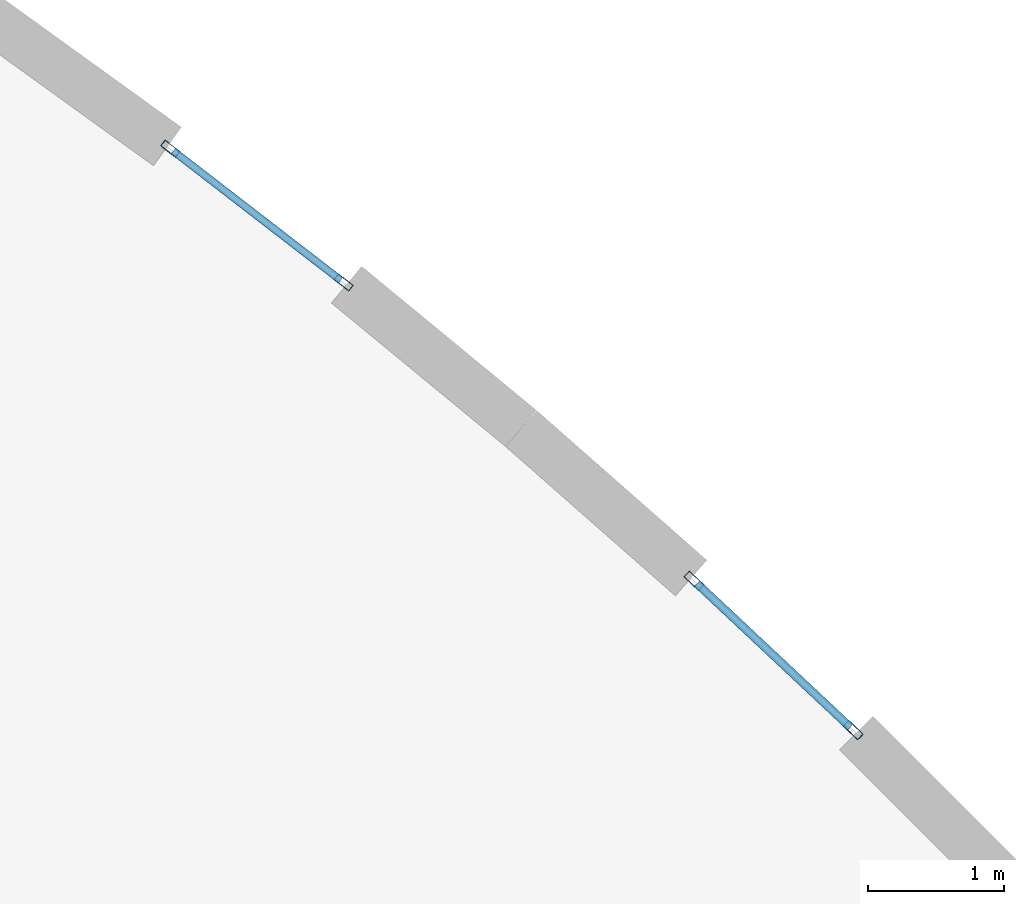
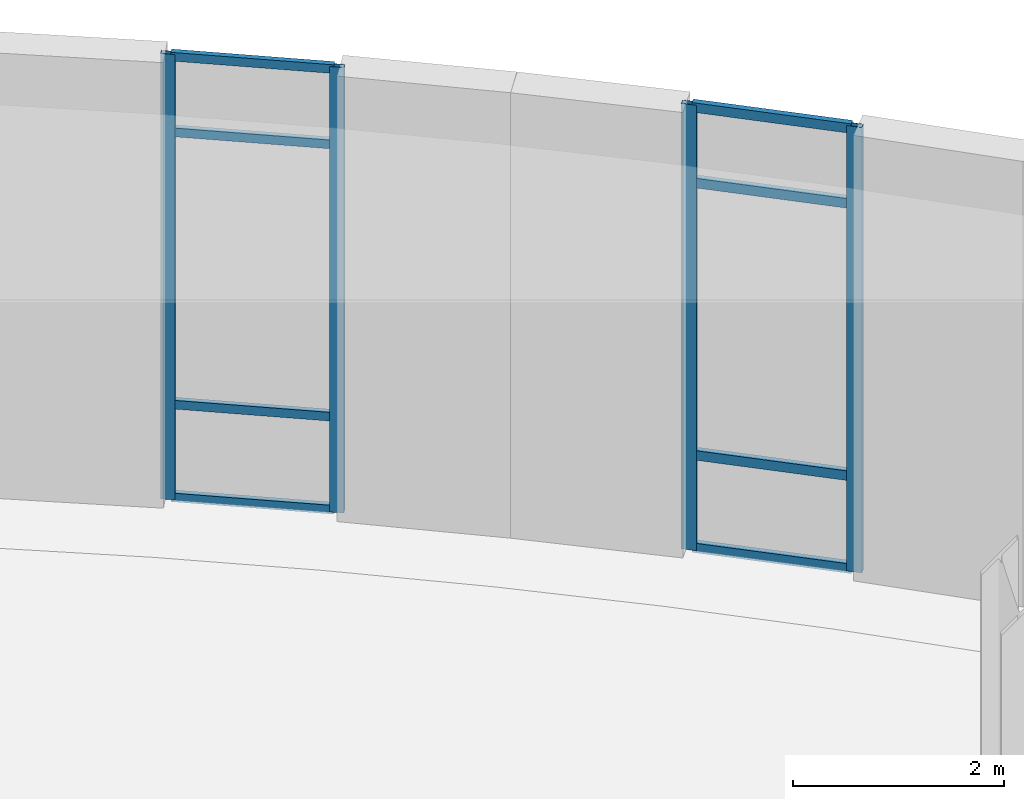
# One storey, part 55 of 110: 12 members, 2 elements without a shape of their own.
"""IFC4 building model written with IfcOpenShell, lengths in metres."""

import ifcopenshell
import ifcopenshell.guid

model = None  # the IFC model being written
_history = None  # IfcOwnerHistory: only IFC2X3 demands one
_inside = {}  # id of a spatial element -> (the spatial element, [elements in it])
_under = {}  # id of a project, library or spatial element -> (it, [spatial elements below it])
_declared = {}  # id of a project -> (the project, [libraries it declares])
_typed = {}  # id of a type object -> (the type object, [elements of that type])
_made_of = {}  # id of a material, layer set ... -> (it, [elements and type objects made of it])


def new_model(schema):
    """Start an empty IFC model of exactly this schema.

    Asked for "IFC4X3", IfcOpenShell would pick the latest addendum, in which some entities
    have other attributes; the version numbers below select the first issue.
    IFC2X3 requires an IfcOwnerHistory on every rooted entity: one is made here for all.
    """
    global model, _history
    if schema == "IFC4X3":
        model = ifcopenshell.file(schema_version=(4, 3, 0, 0))
    else:
        model = ifcopenshell.file(schema=schema)
    _inside.clear()
    _under.clear()
    _declared.clear()
    _typed.clear()
    _made_of.clear()
    _history = None
    if model.schema == "IFC2X3":
        org = make("IfcOrganization", Name="unknown")
        user = make(
            "IfcPersonAndOrganization",
            ThePerson=make("IfcPerson", FamilyName="unknown"),
            TheOrganization=org,
        )
        app = make(
            "IfcApplication",
            ApplicationDeveloper=org,
            Version="unknown",
            ApplicationFullName="unknown",
            ApplicationIdentifier="unknown",
        )
        _history = make(
            "IfcOwnerHistory",
            OwningUser=user,
            OwningApplication=app,
            ChangeAction="ADDED",
            CreationDate=0,
        )
    return model


def make(cls, **values):
    """One entity of the class cls with the attributes given. An attribute that is None is left unset."""
    return model.create_entity(
        cls, **{name: value for name, value in values.items() if value is not None}
    )


def rooted(cls, **values):
    """An entity with a GlobalId (a new one), such as an element, a storey or a relation."""
    return make(cls, GlobalId=ifcopenshell.guid.new(), OwnerHistory=_history, **values)


def si_unit(unit_type, name, prefix=None):
    """IfcSIUnit, for example si_unit("LENGTHUNIT", "METRE", prefix="MILLI")."""
    return make("IfcSIUnit", UnitType=unit_type, Prefix=prefix, Name=name)


def assignment(units):
    """IfcUnitAssignment: the units of a project."""
    return None if units is None else make("IfcUnitAssignment", Units=units)


def point(xyz):
    """IfcCartesianPoint."""
    return None if xyz is None else make("IfcCartesianPoint", Coordinates=xyz)


def direction(xyz):
    """IfcDirection."""
    return None if xyz is None else make("IfcDirection", DirectionRatios=xyz)


def frame(location, z_axis=None, x_axis=None):
    """IfcAxis2Placement3D, a coordinate frame: its origin and axes. An axis left out is left unset."""
    return make(
        "IfcAxis2Placement3D",
        Location=point(location),
        Axis=direction(z_axis),
        RefDirection=direction(x_axis),
    )


def frame_2d(location, x_axis=None):
    """IfcAxis2Placement2D, a coordinate frame in the plane: its origin and x axis."""
    return make(
        "IfcAxis2Placement2D", Location=point(location), RefDirection=direction(x_axis)
    )


def origin():
    """The frame at (0, 0, 0) with its axes left unset."""
    return frame((0.0, 0.0, 0.0))


def origin_2d():
    """The frame at (0, 0) in the plane with its x axis left unset."""
    return frame_2d((0.0, 0.0))


def place(relative_to, where):
    """IfcLocalPlacement: puts the frame where relative to a parent placement (None: the world)."""
    return make(
        "IfcLocalPlacement", PlacementRelTo=relative_to, RelativePlacement=where
    )


def context(
    kind, dimensions, precision=None, world=None, true_north=None, identifier=None
):
    """IfcGeometricRepresentationContext, for example the 3D "Model" context."""
    return make(
        "IfcGeometricRepresentationContext",
        ContextIdentifier=identifier,
        ContextType=kind,
        CoordinateSpaceDimension=dimensions,
        Precision=precision,
        WorldCoordinateSystem=world,
        TrueNorth=true_north,
    )


def subcontext(parent, identifier, kind, view, scale=None):
    """IfcGeometricRepresentationSubContext, for example "Body" below "Model"."""
    return make(
        "IfcGeometricRepresentationSubContext",
        ContextIdentifier=identifier,
        ContextType=kind,
        ParentContext=parent,
        TargetScale=scale,
        TargetView=view,
    )


def project(units=None, contexts=None):
    """IfcProject with its units and contexts."""
    return rooted(
        "IfcProject",
        Name="project",
        RepresentationContexts=contexts,
        UnitsInContext=assignment(units),
    )


def spatial(cls, under=None, at=None, **own):
    """A site, building, storey or space (cls), placed at a placement, below another one or the project."""
    s = rooted(cls, ObjectPlacement=at, **own)
    if under is not None:
        _under.setdefault(under.id(), (under, []))[1].append(s)
    return s


def profile(cls, at=None, kind="AREA", **sizes):
    """A parametric profile (cls). Its sizes go by their IFC names, for example OverallWidth=200.0."""
    return make(cls, ProfileType=kind, Position=at, **sizes)


def hollow_rectangle(**sizes):
    """IfcRectangleHollowProfileDef."""
    return profile("IfcRectangleHollowProfileDef", **sizes)


def extrude(swept, where, along, depth):
    """IfcExtrudedAreaSolid: the profile swept, set in the frame where, extruded along a direction by depth."""
    return make(
        "IfcExtrudedAreaSolid",
        SweptArea=swept,
        Position=where,
        ExtrudedDirection=direction(along),
        Depth=depth,
    )


def shape(context_of_items, identifier, shape_type, items):
    """IfcShapeRepresentation: the items that make up one representation, for example the "Body"."""
    return make(
        "IfcShapeRepresentation",
        ContextOfItems=context_of_items,
        RepresentationIdentifier=identifier,
        RepresentationType=shape_type,
        Items=items,
    )


def material(Name=None, Category=None):
    """IfcMaterial."""
    return make("IfcMaterial", Name=Name, Category=Category)


def layer(
    of_material, thickness, ventilated=None, Name=None, Category=None, Priority=None
):
    """IfcMaterialLayer: one layer of a wall or slab, of a material (None: an air gap)."""
    return make(
        "IfcMaterialLayer",
        Material=of_material,
        LayerThickness=thickness,
        IsVentilated=ventilated,
        Name=Name,
        Category=Category,
        Priority=Priority,
    )


def layer_set(layers, Name=None):
    """IfcMaterialLayerSet."""
    return make("IfcMaterialLayerSet", MaterialLayers=layers, LayerSetName=Name)


def material_profile(
    of_material, cross_section, Name=None, Category=None, Priority=None
):
    """IfcMaterialProfile: a cross section and its material."""
    return make(
        "IfcMaterialProfile",
        Name=Name,
        Material=of_material,
        Profile=cross_section,
        Priority=Priority,
        Category=Category,
    )


def profile_set(profiles, Name=None, composite=None):
    """IfcMaterialProfileSet."""
    return make(
        "IfcMaterialProfileSet",
        Name=Name,
        MaterialProfiles=profiles,
        CompositeProfile=composite,
    )


def made_of(thing, what):
    """Note that an element or type object is made of a material, layer set ...; save() writes the relation."""
    if what is not None:
        _made_of.setdefault(what.id(), (what, []))[1].append(thing)
    return thing


def type_object(cls, material=None, **own):
    """A type object (cls), such as IfcWallType, which elements share."""
    return made_of(rooted(cls, **own), material)


def element(
    cls,
    number,
    at=None,
    inside=None,
    cuts=None,
    type_object=None,
    material=None,
    context=None,
    identifier="Body",
    shape_type=None,
    held_by="IfcProductDefinitionShape",
    body=None,
    shapes=None,
    **own,
):
    """One element of the class cls, such as IfcWall. Its Tag is "e" and its number.

    at: its placement. inside: the storey or other place that contains it. cuts: it is an
    opening in that element (IfcRelVoidsElement). A single representation is given by context,
    identifier, shape_type and body (its items); several are given by shapes. held_by: the class
    of the entity that holds the representations. save() writes the other relations.
    """
    e = rooted(cls, Tag="e%d" % number, ObjectPlacement=at, **own)
    if body is not None:
        shapes = [shape(context, identifier, shape_type, body)]
    if shapes is not None:
        e.Representation = make(held_by, Representations=shapes)
    if inside is not None:
        _inside.setdefault(inside.id(), (inside, []))[1].append(e)
    if cuts is not None:
        rooted(
            "IfcRelVoidsElement", RelatingBuildingElement=cuts, RelatedOpeningElement=e
        )
    if type_object is not None:
        _typed.setdefault(type_object.id(), (type_object, []))[1].append(e)
    return made_of(e, material)


def aggregate(whole, parts):
    """IfcRelAggregates: a whole, such as a stair, and the parts it consists of."""
    return rooted("IfcRelAggregates", RelatingObject=whole, RelatedObjects=parts)


def save(model, path):
    """Write the relations noted so far, then the file.

    IfcRelAggregates (storeys below a building ...), IfcRelContainedInSpatialStructure (elements
    in a storey), IfcRelDefinesByType, IfcRelAssociatesMaterial and IfcRelDeclares: one each for
    every whole, place, type object, material and project.
    """
    for whole, parts in _under.values():
        aggregate(whole, parts)
    for where, things in _inside.values():
        rooted(
            "IfcRelContainedInSpatialStructure",
            RelatedElements=things,
            RelatingStructure=where,
        )
    for kind, things in _typed.values():
        rooted("IfcRelDefinesByType", RelatedObjects=things, RelatingType=kind)
    for what, things in _made_of.values():
        rooted("IfcRelAssociatesMaterial", RelatedObjects=things, RelatingMaterial=what)
    for by, libraries in _declared.values():
        rooted("IfcRelDeclares", RelatingContext=by, RelatedDefinitions=libraries)
    model.write(path)


model = new_model("IFC4")

# Units and contexts
model_context = context("Model", 3, precision=1e-05, world=origin(), true_north=direction((0.0, 1.0)))
body_context = subcontext(model_context, "Body", "Model", "MODEL_VIEW")
ifc_project = project(units=[si_unit("LENGTHUNIT", "METRE"), si_unit("AREAUNIT", "SQUARE_METRE"), si_unit("VOLUMEUNIT", "CUBIC_METRE"), si_unit("PLANEANGLEUNIT", "RADIAN"), si_unit("MASSUNIT", "GRAM", prefix="KILO"), si_unit("THERMODYNAMICTEMPERATUREUNIT", "KELVIN")], contexts=[model_context])

# Site, building, storey
site_placement = place(None, origin())
site = spatial("IfcSite", under=ifc_project, at=site_placement, CompositionType="ELEMENT")
building_placement = place(site_placement, origin())
building = spatial("IfcBuilding", under=site, at=building_placement, Name="Lustrewick Department Store", CompositionType="ELEMENT")
storey_placement = place(building_placement, frame((0.0, 0.0, 6.0)))
storey = spatial("IfcBuildingStorey", under=building, at=storey_placement, Name="L02", CompositionType="ELEMENT", Elevation=6.0)

# Curtain wall, members
ifc_material = material(Name="Thermally broken aluminium 6063-T5", Category="aluminium")
ifc_layer_1 = layer(ifc_material, 0.14990234375, Name="Thermally broken aluminium 6063-T5")
ifc_layer_set_1 = layer_set([ifc_layer_1], Name="Thermally broken aluminium 6063-T5")
curtain_wall_type_1 = type_object("IfcCurtainWallType", Name="CW14", PredefinedType="NOTDEFINED", material=ifc_layer_set_1)
curtain_wall_1_placement = place(storey_placement, origin())
curtain_wall_1 = element("IfcCurtainWall", 1, at=curtain_wall_1_placement, inside=storey, type_object=curtain_wall_type_1, Name="L02 V4 Curtain Wall CW14", PredefinedType="NOTDEFINED")
ifc_material_profile_1 = material_profile(ifc_material, hollow_rectangle(XDim=0.06005859375, YDim=0.14990234375, WallThickness=0.00341796875, at=origin_2d()), Name="ALU-M 60x150x3.5")
ifc_profile_set_1 = profile_set([ifc_material_profile_1], Name="Thermally broken aluminium 6063-T5")
member_type_1 = type_object("IfcMemberType", Name="CW14-M1", PredefinedType="MULLION", material=ifc_profile_set_1)
member_1_placement = place(storey_placement, frame((152.153564453125, 96.974609375, 0.0), z_axis=(0.0, 0.0, 1.0), x_axis=(-0.68406683598, -0.729419333383, 0.0)))
member_1 = element("IfcMember", 2, at=member_1_placement, type_object=member_type_1, Name="CW14 mullion 1", PredefinedType="MULLION", context=body_context, shape_type="SweptSolid", body=[
    extrude(hollow_rectangle(XDim=0.06005859375, YDim=0.14990234375, WallThickness=0.00341796875, at=origin_2d()), origin(), (0.0, 0.0, 1.0), 5.14501953125),
])
member_2_placement = place(storey_placement, frame((150.9814453125, 98.073974609375, 0.0), z_axis=(0.0, 0.0, 1.0), x_axis=(-0.68406683598, -0.729419333383, 0.0)))
member_2 = element("IfcMember", 3, at=member_2_placement, type_object=member_type_1, Name="CW14 mullion 2", PredefinedType="MULLION", context=body_context, shape_type="SweptSolid", body=[
    extrude(hollow_rectangle(XDim=0.06005859375, YDim=0.14990234375, WallThickness=0.00341796875, at=origin_2d()), origin(), (0.0, 0.0, 1.0), 5.14501953125),
])
ifc_material_profile_2 = material_profile(ifc_material, hollow_rectangle(XDim=0.06005859375, YDim=0.110107421875, WallThickness=0.0029296875, at=origin_2d()), Name="ALU-T 60x110x3")
ifc_profile_set_2 = profile_set([ifc_material_profile_2], Name="Thermally broken aluminium 6063-T5")
member_type_2 = type_object("IfcMemberType", Name="CW14-T1", PredefinedType="USERDEFINED", material=ifc_profile_set_2)
member_3_placement = place(storey_placement, frame((152.1318359375, 96.995361328125, 0.030029296875), z_axis=(-0.729468295444, 0.68401462407, 0.0), x_axis=(-0.68401462407, -0.729468295444, 0.0)))
member_3 = element("IfcMember", 4, at=member_3_placement, type_object=member_type_2, Name="CW14 transom 1.1", ObjectType="TRANSOM", PredefinedType="USERDEFINED", context=body_context, shape_type="SweptSolid", body=[
    extrude(hollow_rectangle(XDim=0.06005859375, YDim=0.110107421875, WallThickness=0.0029296875, at=origin_2d()), origin(), (0.0, 0.0, 1.0), 1.546875),
])
member_4_placement = place(storey_placement, frame((152.1318359375, 96.995361328125, 1.10009765625), z_axis=(-0.729468295444, 0.68401462407, 0.0), x_axis=(-0.68401462407, -0.729468295444, 0.0)))
member_4 = element("IfcMember", 5, at=member_4_placement, type_object=member_type_2, Name="CW14 transom 1.2", ObjectType="TRANSOM", PredefinedType="USERDEFINED", context=body_context, shape_type="SweptSolid", body=[
    extrude(hollow_rectangle(XDim=0.06005859375, YDim=0.110107421875, WallThickness=0.0029296875, at=origin_2d()), origin(), (0.0, 0.0, 1.0), 1.546875),
])
member_5_placement = place(storey_placement, frame((152.1318359375, 96.995361328125, 4.2451171875), z_axis=(-0.729468295444, 0.68401462407, 0.0), x_axis=(-0.68401462407, -0.729468295444, 0.0)))
member_5 = element("IfcMember", 6, at=member_5_placement, type_object=member_type_2, Name="CW14 transom 1.3", ObjectType="TRANSOM", PredefinedType="USERDEFINED", context=body_context, shape_type="SweptSolid", body=[
    extrude(hollow_rectangle(XDim=0.06005859375, YDim=0.110107421875, WallThickness=0.0029296875, at=origin_2d()), origin(), (0.0, 0.0, 1.0), 1.546875),
])
member_6_placement = place(storey_placement, frame((152.1318359375, 96.995361328125, 5.114990234375), z_axis=(-0.729468295444, 0.68401462407, 0.0), x_axis=(-0.68401462407, -0.729468295444, 0.0)))
member_6 = element("IfcMember", 7, at=member_6_placement, type_object=member_type_2, Name="CW14 transom 1.4", ObjectType="TRANSOM", PredefinedType="USERDEFINED", context=body_context, shape_type="SweptSolid", body=[
    extrude(hollow_rectangle(XDim=0.06005859375, YDim=0.110107421875, WallThickness=0.0029296875, at=origin_2d()), origin(), (0.0, 0.0, 1.0), 1.546875),
])
aggregate(curtain_wall_1, [member_1, member_2, member_3, member_4, member_5, member_6])

ifc_layer_2 = layer(ifc_material, 0.139892578125, Name="Thermally broken aluminium 6063-T5")
ifc_layer_set_2 = layer_set([ifc_layer_2], Name="Thermally broken aluminium 6063-T5")
curtain_wall_type_2 = type_object("IfcCurtainWallType", Name="CW15", PredefinedType="NOTDEFINED", material=ifc_layer_set_2)
curtain_wall_2_placement = place(storey_placement, origin())
curtain_wall_2 = element("IfcCurtainWall", 8, at=curtain_wall_2_placement, inside=storey, type_object=curtain_wall_type_2, Name="L02 V4 Curtain Wall CW15", PredefinedType="NOTDEFINED")
ifc_material_profile_3 = material_profile(ifc_material, hollow_rectangle(XDim=0.054931640625, YDim=0.139892578125, WallThickness=0.00341796875, at=origin_2d()), Name="ALU-M 55x140x3.5")
ifc_profile_set_3 = profile_set([ifc_material_profile_3], Name="Thermally broken aluminium 6063-T5")
member_type_3 = type_object("IfcMemberType", Name="CW15-M1", PredefinedType="MULLION", material=ifc_profile_set_3)
member_7_placement = place(storey_placement, frame((148.399658203125, 100.27197265625, 0.0), z_axis=(0.0, 0.0, 1.0), x_axis=(-0.610866848982, -0.791733347039, 0.0)))
member_7 = element("IfcMember", 9, at=member_7_placement, type_object=member_type_3, Name="CW15 mullion 1", PredefinedType="MULLION", context=body_context, shape_type="SweptSolid", body=[
    extrude(hollow_rectangle(XDim=0.054931640625, YDim=0.139892578125, WallThickness=0.00341796875, at=origin_2d()), origin(), (0.0, 0.0, 1.0), 5.14501953125),
])
member_8_placement = place(storey_placement, frame((147.12353515625, 101.256591796875, 0.0), z_axis=(0.0, 0.0, 1.0), x_axis=(-0.610866848982, -0.791733347039, 0.0)))
member_8 = element("IfcMember", 10, at=member_8_placement, type_object=member_type_3, Name="CW15 mullion 2", PredefinedType="MULLION", context=body_context, shape_type="SweptSolid", body=[
    extrude(hollow_rectangle(XDim=0.054931640625, YDim=0.139892578125, WallThickness=0.00341796875, at=origin_2d()), origin(), (0.0, 0.0, 1.0), 5.14501953125),
])
ifc_material_profile_4 = material_profile(ifc_material, hollow_rectangle(XDim=0.054931640625, YDim=0.10009765625, WallThickness=0.0029296875, at=origin_2d()), Name="ALU-T 55x100x3")
ifc_profile_set_4 = profile_set([ifc_material_profile_4], Name="Thermally broken aluminium 6063-T5")
member_type_4 = type_object("IfcMemberType", Name="CW15-T1", PredefinedType="USERDEFINED", material=ifc_profile_set_4)
member_9_placement = place(storey_placement, frame((148.3779296875, 100.288818359375, 0.027587890625), z_axis=(-0.791702081428, 0.610907369626, 0.0), x_axis=(-0.610907369626, -0.791702081428, 0.0)))
member_9 = element("IfcMember", 11, at=member_9_placement, type_object=member_type_4, Name="CW15 transom 1.1", ObjectType="TRANSOM", PredefinedType="USERDEFINED", context=body_context, shape_type="SweptSolid", body=[
    extrude(hollow_rectangle(XDim=0.054931640625, YDim=0.10009765625, WallThickness=0.0029296875, at=origin_2d()), origin(), (0.0, 0.0, 1.0), 1.556884765625),
])
member_10_placement = place(storey_placement, frame((148.3779296875, 100.288818359375, 1.10009765625), z_axis=(-0.791702081428, 0.610907369626, 0.0), x_axis=(-0.610907369626, -0.791702081428, 0.0)))
member_10 = element("IfcMember", 12, at=member_10_placement, type_object=member_type_4, Name="CW15 transom 1.2", ObjectType="TRANSOM", PredefinedType="USERDEFINED", context=body_context, shape_type="SweptSolid", body=[
    extrude(hollow_rectangle(XDim=0.054931640625, YDim=0.10009765625, WallThickness=0.0029296875, at=origin_2d()), origin(), (0.0, 0.0, 1.0), 1.556884765625),
])
member_11_placement = place(storey_placement, frame((148.3779296875, 100.288818359375, 4.2451171875), z_axis=(-0.791702081428, 0.610907369626, 0.0), x_axis=(-0.610907369626, -0.791702081428, 0.0)))
member_11 = element("IfcMember", 13, at=member_11_placement, type_object=member_type_4, Name="CW15 transom 1.3", ObjectType="TRANSOM", PredefinedType="USERDEFINED", context=body_context, shape_type="SweptSolid", body=[
    extrude(hollow_rectangle(XDim=0.054931640625, YDim=0.10009765625, WallThickness=0.0029296875, at=origin_2d()), origin(), (0.0, 0.0, 1.0), 1.556884765625),
])
member_12_placement = place(storey_placement, frame((148.3779296875, 100.288818359375, 5.117431640625), z_axis=(-0.791702081428, 0.610907369626, 0.0), x_axis=(-0.610907369626, -0.791702081428, 0.0)))
member_12 = element("IfcMember", 14, at=member_12_placement, type_object=member_type_4, Name="CW15 transom 1.4", ObjectType="TRANSOM", PredefinedType="USERDEFINED", context=body_context, shape_type="SweptSolid", body=[
    extrude(hollow_rectangle(XDim=0.054931640625, YDim=0.10009765625, WallThickness=0.0029296875, at=origin_2d()), origin(), (0.0, 0.0, 1.0), 1.556884765625),
])
aggregate(curtain_wall_2, [member_7, member_8, member_9, member_10, member_11, member_12])

save(model, "model.ifc")
